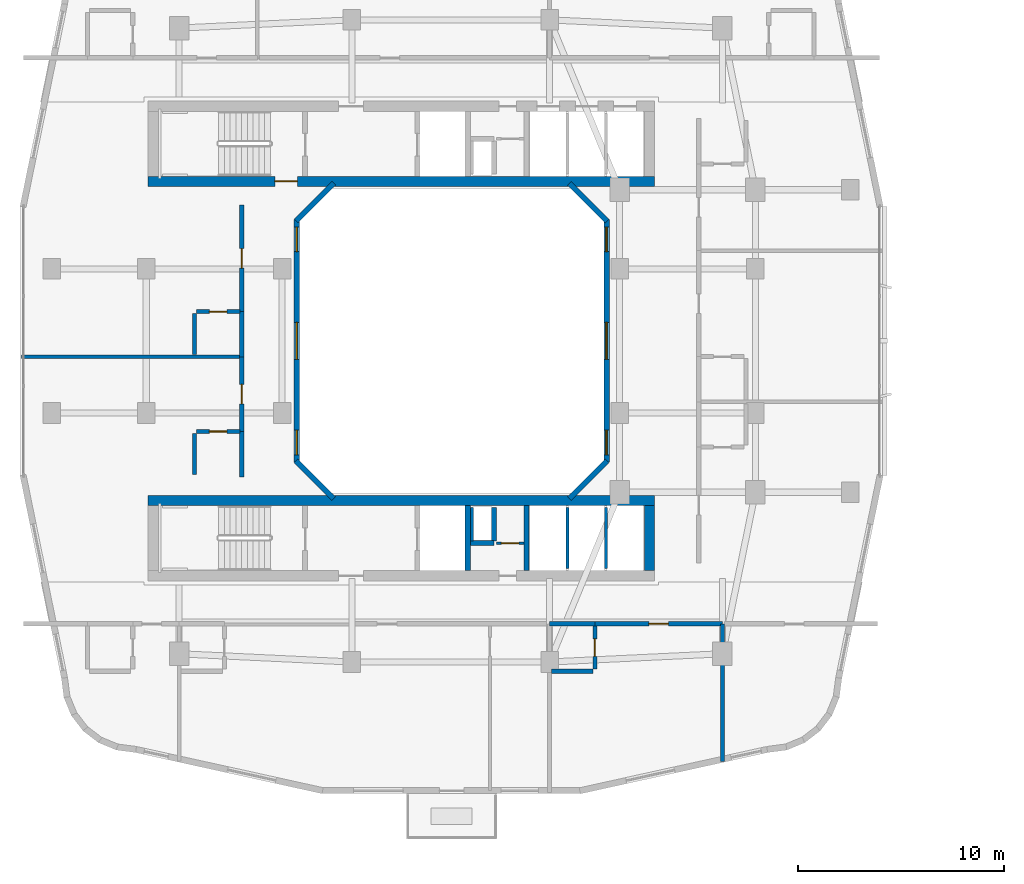
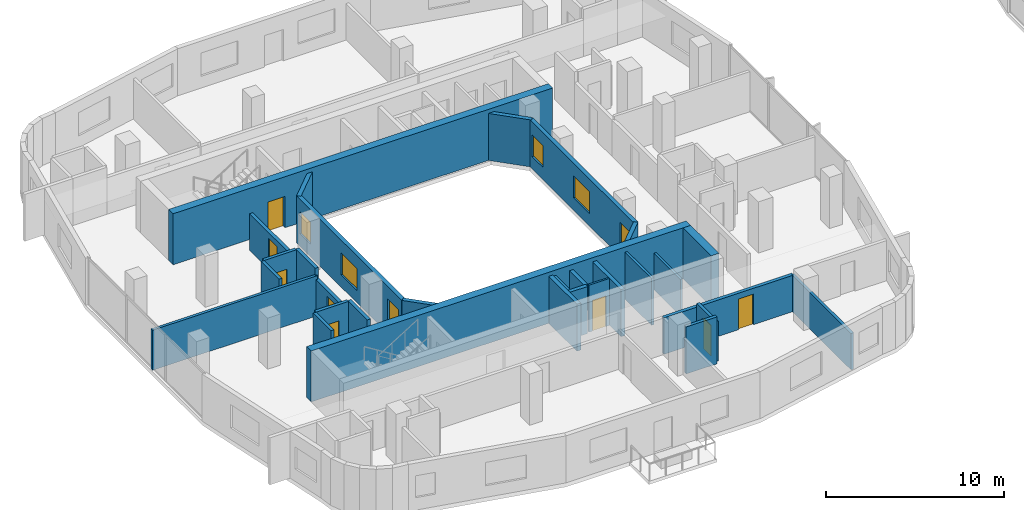
# One storey, part 10 of 24: 31 walls, 8 doors, 6 windows, 14 openings.
"""IFC4 building model written with IfcOpenShell, lengths in metres."""

from ifc_helpers import new_model, si_unit, derived_unit, direction, frame, frame_2d, origin, place, context, subcontext, project, spatial, rectangle, extrude, material, layer, layer_set, type_object, element, fill, save


model = new_model("IFC4")

# Units and contexts
model_context = context("Model", 3, precision=1e-05, world=origin(), true_north=direction((0.0, 1.0)))
body_context = subcontext(model_context, "Body", "Model", "MODEL_VIEW")
ifc_project = project(units=[si_unit("LENGTHUNIT", "METRE"), si_unit("AREAUNIT", "SQUARE_METRE"), si_unit("VOLUMEUNIT", "CUBIC_METRE"), si_unit("PLANEANGLEUNIT", "RADIAN"), si_unit("MASSUNIT", "GRAM", prefix="KILO"), derived_unit("THERMALTRANSMITTANCEUNIT", [(si_unit("POWERUNIT", "WATT"), 1), (si_unit("LENGTHUNIT", "METRE"), -2), (si_unit("THERMODYNAMICTEMPERATUREUNIT", "KELVIN"), -1)])], contexts=[model_context])

# Site, building, storey
site_placement = place(None, origin())
site = spatial("IfcSite", under=ifc_project, at=site_placement, CompositionType="ELEMENT")
building_placement = place(site_placement, origin())
building = spatial("IfcBuilding", under=site, at=building_placement, Name="Kivonza Crest Hotel", CompositionType="ELEMENT")
storey_placement = place(building_placement, frame((0.0, 0.0, 80.0)))
storey = spatial("IfcBuildingStorey", under=building, at=storey_placement, Name="L21", CompositionType="ELEMENT", Elevation=80.0)

# Walls
ifc_material_1 = material(Name="High-density acoustic masonry inter-tenancy wall", Category="masonry")
ifc_layer_1 = layer(ifc_material_1, 0.179931640625)
ifc_layer_set_1 = layer_set([ifc_layer_1], Name="High-density acoustic masonry inter-tenancy wall")
wall_type_1 = type_object("IfcWallType", Name="WL-ACOU-180", PredefinedType="SOLIDWALL", material=ifc_layer_set_1)
wall_1_placement = place(storey_placement, frame((34.199951171875, 4.575927734375, 0.0), z_axis=(0.0, 0.0, 1.0), x_axis=(0.0, 1.0, 0.0)))
element("IfcWall", 1, at=wall_1_placement, inside=storey, type_object=wall_type_1, Name="L21 interior partition WA-L21-T1S-DIV3", PredefinedType="SOLIDWALL", context=body_context, shape_type="SweptSolid", body=[
    extrude(rectangle(XDim=6.674072265625, YDim=0.179931640625, at=frame_2d((3.3369140625, 0.0))), origin(), (0.0, 0.0, 1.0), 2.4951171875),
])
wall_2_placement = place(storey_placement, frame((0.139892578125, 24.22998046875, 0.0), z_axis=(0.0, 0.0, 1.0), x_axis=(1.0, 0.0, 0.0)))
element("IfcWall", 2, at=wall_2_placement, inside=storey, type_object=wall_type_1, Name="L21 interior partition WA-L21-T1W-DIV1", PredefinedType="SOLIDWALL", context=body_context, shape_type="SweptSolid", body=[
    extrude(rectangle(XDim=10.710205078125, YDim=0.179931640625, at=frame_2d((5.35498046875, 0.0))), origin(), (0.0, 0.0, 1.0), 2.7451171875),
])
ifc_material_2 = material(Name="Autoclaved aerated concrete blockwork", Category="masonry")
ifc_layer_2 = layer(ifc_material_2, 0.219970703125)
ifc_layer_set_2 = layer_set([ifc_layer_2], Name="Autoclaved aerated concrete blockwork")
wall_type_2 = type_object("IfcWallType", Name="WL-ACOU-220", PredefinedType="SOLIDWALL", material=ifc_layer_set_2)
wall_3_placement = place(storey_placement, frame((25.800048828125, 11.25, 0.0), z_axis=(0.0, 0.0, 1.0), x_axis=(1.0, 0.0, 0.0)))
element("IfcWall", 3, at=wall_3_placement, inside=storey, type_object=wall_type_2, Name="L21 interior partition WA-L21-S05-BCORR", PredefinedType="SOLIDWALL", context=body_context, shape_type="SweptSolid", body=[
    extrude(rectangle(XDim=2.199951171875, YDim=0.219970703125, at=frame_2d((1.10009765625, 0.0))), origin(), (0.0, 0.0, 1.0), 2.4951171875),
])

# Wall, opening, door
wall_4_placement = place(storey_placement, frame((28.0, 11.25, 0.0), z_axis=(0.0, 0.0, 1.0), x_axis=(1.0, 0.0, 0.0)))
wall_4 = element("IfcWall", 4, at=wall_4_placement, inside=storey, type_object=wall_type_2, Name="L21 interior partition WA-L21-S05-MCORR", PredefinedType="SOLIDWALL", context=body_context, shape_type="SweptSolid", body=[
    extrude(rectangle(XDim=6.199951171875, YDim=0.219970703125, at=frame_2d((3.10009765625, 0.0))), origin(), (0.0, 0.0, 1.0), 2.4951171875),
])
opening_1_placement = place(wall_4_placement, frame((2.625, 0.0, 0.0)))
opening_1 = element("IfcOpeningElement", 5, at=opening_1_placement, cuts=wall_4, Name="Opening DU-60", PredefinedType="OPENING", context=body_context, shape_type="SweptSolid", body=[
    extrude(rectangle(XDim=0.949951171875, YDim=2.10009765625, at=frame_2d((0.47509765625, 1.050048828125))), frame((0.0, 0.1201171875, 0.0), z_axis=(0.0, -1.0, 0.0), x_axis=(1.0, 0.0, 0.0)), (0.0, 0.0, 1.0), 0.239990234375),
])
ifc_material_3 = material(Name="Hardwood timber oak", Category="wood")
door_type_1 = type_object("IfcDoorType", Name="DR-UNIT-950", OperationType="NOTDEFINED", PredefinedType="DOOR", material=ifc_material_3)
door_1_placement = place(opening_1_placement, frame((0.949951171875, 0.0, 0.0), z_axis=(0.0, 0.0, 1.0), x_axis=(-1.0, 0.0, 0.0)))
door_1 = element("IfcDoor", 6, at=door_1_placement, inside=storey, type_object=door_type_1, Name="L21 S05 guest unit entrance fire door", OperationType="SINGLE_SWING_LEFT", OverallHeight=2.10009765625, OverallWidth=0.949951171875, PredefinedType="DOOR", context=body_context, shape_type="SweptSolid", body=[
    extrude(rectangle(XDim=0.949951171875, YDim=2.10009765625, at=frame_2d((0.47509765625, 1.050048828125))), frame((0.0, 0.02490234375, 0.0), z_axis=(0.0, -1.0, 0.0), x_axis=(1.0, 0.0, 0.0)), (0.0, 0.0, 1.0), 0.050048828125),
])
fill(opening_1, door_1)

# Wall
wall_5_placement = place(storey_placement, frame((10.85009765625, 18.39990234375, 0.0), z_axis=(0.0, 0.0, 1.0), x_axis=(0.0, 1.0, 0.0)))
element("IfcWall", 7, at=wall_5_placement, inside=storey, type_object=wall_type_2, Name="L21 interior partition WA-L21-W06-BCORR", PredefinedType="SOLIDWALL", context=body_context, shape_type="SweptSolid", body=[
    extrude(rectangle(XDim=2.2001953125, YDim=0.219970703125, at=frame_2d((1.10009765625, 0.0))), origin(), (0.0, 0.0, 1.0), 3.219970703125),
])

# Wall, opening, door
wall_6_placement = place(storey_placement, frame((10.85009765625, 20.60009765625, 0.0), z_axis=(0.0, 0.0, 1.0), x_axis=(0.0, 1.0, 0.0)))
wall_6 = element("IfcWall", 8, at=wall_6_placement, inside=storey, type_object=wall_type_2, Name="L21 interior partition WA-L21-W06-MCORR", PredefinedType="SOLIDWALL", context=body_context, shape_type="SweptSolid", body=[
    extrude(rectangle(XDim=3.6298828125, YDim=0.219970703125, at=frame_2d((1.81494140625, 0.0))), origin(), (0.0, 0.0, 1.0), 2.4951171875),
])
opening_2_placement = place(wall_6_placement, frame((1.340087890625, 0.0, 0.0)))
opening_2 = element("IfcOpeningElement", 9, at=opening_2_placement, cuts=wall_6, Name="Opening DU-60", PredefinedType="OPENING", context=body_context, shape_type="SweptSolid", body=[
    extrude(rectangle(XDim=0.949951171875, YDim=2.10009765625, at=frame_2d((0.47509765625, 1.050048828125))), frame((0.0, 0.1201171875, 0.0), z_axis=(0.0, -1.0, 0.0), x_axis=(1.0, 0.0, 0.0)), (0.0, 0.0, 1.0), 0.239990234375),
])
door_2_placement = place(opening_2_placement, origin())
door_2 = element("IfcDoor", 10, at=door_2_placement, inside=storey, type_object=door_type_1, Name="L21 W06 guest unit entrance fire door", OperationType="SINGLE_SWING_RIGHT", OverallHeight=2.10009765625, OverallWidth=0.949951171875, PredefinedType="DOOR", context=body_context, shape_type="SweptSolid", body=[
    extrude(rectangle(XDim=0.949951171875, YDim=2.10009765625, at=frame_2d((0.47509765625, 1.050048828125))), frame((0.0, 0.02490234375, 0.0), z_axis=(0.0, -1.0, 0.0), x_axis=(1.0, 0.0, 0.0)), (0.0, 0.0, 1.0), 0.050048828125),
])
fill(opening_2, door_2)

# Wall
wall_7_placement = place(storey_placement, frame((10.85009765625, 24.22998046875, 0.0), z_axis=(0.0, 0.0, 1.0), x_axis=(0.0, 1.0, 0.0)))
element("IfcWall", 11, at=wall_7_placement, inside=storey, type_object=wall_type_2, Name="L21 interior partition WA-L21-W07-BCORR", PredefinedType="SOLIDWALL", context=body_context, shape_type="SweptSolid", body=[
    extrude(rectangle(XDim=2.199951171875, YDim=0.219970703125, at=frame_2d((1.10009765625, 0.0))), origin(), (0.0, 0.0, 1.0), 3.219970703125),
])

# Wall, opening, door
wall_8_placement = place(storey_placement, frame((10.85009765625, 26.429931640625, 0.0), z_axis=(0.0, 0.0, 1.0), x_axis=(0.0, 1.0, 0.0)))
wall_8 = element("IfcWall", 12, at=wall_8_placement, inside=storey, type_object=wall_type_2, Name="L21 interior partition WA-L21-W07-MCORR", PredefinedType="SOLIDWALL", context=body_context, shape_type="SweptSolid", body=[
    extrude(rectangle(XDim=5.170166015625, YDim=0.219970703125, at=frame_2d((2.5849609375, 0.0))), origin(), (0.0, 0.0, 1.0), 2.4951171875),
])
opening_3_placement = place(wall_8_placement, frame((2.110107421875, 0.0, 0.0)))
opening_3 = element("IfcOpeningElement", 13, at=opening_3_placement, cuts=wall_8, Name="Opening DU-60", PredefinedType="OPENING", context=body_context, shape_type="SweptSolid", body=[
    extrude(rectangle(XDim=0.949951171875, YDim=2.10009765625, at=frame_2d((0.47509765625, 1.050048828125))), frame((0.0, 0.1201171875, 0.0), z_axis=(0.0, -1.0, 0.0), x_axis=(1.0, 0.0, 0.0)), (0.0, 0.0, 1.0), 0.239990234375),
])
door_3_placement = place(opening_3_placement, origin())
door_3 = element("IfcDoor", 14, at=door_3_placement, inside=storey, type_object=door_type_1, Name="L21 W07 guest unit entrance fire door", OperationType="SINGLE_SWING_LEFT", OverallHeight=2.10009765625, OverallWidth=0.949951171875, PredefinedType="DOOR", context=body_context, shape_type="SweptSolid", body=[
    extrude(rectangle(XDim=0.949951171875, YDim=2.10009765625, at=frame_2d((0.47509765625, 1.050048828125))), frame((0.0, 0.02490234375, 0.0), z_axis=(0.0, -1.0, 0.0), x_axis=(1.0, 0.0, 0.0)), (0.0, 0.0, 1.0), 0.050048828125),
])
fill(opening_3, door_3)

ifc_material_4 = material(Name="Concrete C60/75", Category="concrete")
ifc_layer_3 = layer(ifc_material_4, 0.5)
ifc_layer_set_3 = layer_set([ifc_layer_3], Name="Concrete C60/75")
wall_type_3 = type_object("IfcWallType", Name="WL-CORE-500", PredefinedType="SHEAR", material=ifc_layer_set_3)
wall_9_placement = place(storey_placement, frame((6.300048828125, 32.75, 0.0), z_axis=(0.0, 0.0, 1.0), x_axis=(1.0, 0.0, 0.0)))
wall_9 = element("IfcWall", 15, at=wall_9_placement, inside=storey, type_object=wall_type_3, Name="Core wall T1-N South L21", PredefinedType="SHEAR", context=body_context, shape_type="SweptSolid", body=[
    extrude(rectangle(XDim=24.599853515625, YDim=0.5, at=frame_2d((12.2998046875, 0.0))), origin(), (0.0, 0.0, 1.0), 3.5),
])
opening_4_placement = place(wall_9_placement, frame((6.14990234375, 0.0, 0.0)))
opening_4 = element("IfcOpeningElement", 16, at=opening_4_placement, cuts=wall_9, Name="Opening DF-120", PredefinedType="OPENING", context=body_context, shape_type="SweptSolid", body=[
    extrude(rectangle(XDim=1.10009765625, YDim=2.14990234375, at=frame_2d((0.550048828125, 1.074951171875))), frame((0.0, 0.260009765625, 0.0), z_axis=(0.0, -1.0, 0.0), x_axis=(1.0, 0.0, 0.0)), (0.0, 0.0, 1.0), 0.52001953125),
])
ifc_material_5 = material(Name="Galvanised steel", Category="steel")
door_type_2 = type_object("IfcDoorType", Name="DR-FD120-1100", OperationType="NOTDEFINED", PredefinedType="DOOR", material=ifc_material_5)
door_4_placement = place(opening_4_placement, origin())
door_4 = element("IfcDoor", 17, at=door_4_placement, inside=storey, type_object=door_type_2, Name="L21 West corridor stair access fire door", OperationType="SINGLE_SWING_LEFT", OverallHeight=2.14990234375, OverallWidth=1.10009765625, PredefinedType="DOOR", context=body_context, shape_type="SweptSolid", body=[
    extrude(rectangle(XDim=1.10009765625, YDim=2.14990234375, at=frame_2d((0.550048828125, 1.074951171875))), frame((0.0, 0.02490234375, 0.0), z_axis=(0.0, -1.0, 0.0), x_axis=(1.0, 0.0, 0.0)), (0.0, 0.0, 1.0), 0.050048828125),
])
fill(opening_4, door_4)

# Walls
wall_10_placement = place(storey_placement, frame((6.300048828125, 17.25, 0.0), z_axis=(0.0, 0.0, 1.0), x_axis=(1.0, 0.0, 0.0)))
element("IfcWall", 18, at=wall_10_placement, inside=storey, type_object=wall_type_3, Name="Core wall T1-S North L21", PredefinedType="SHEAR", context=body_context, shape_type="SweptSolid", body=[
    extrude(rectangle(XDim=24.599853515625, YDim=0.5, at=frame_2d((12.2998046875, 0.0))), origin(), (0.0, 0.0, 1.0), 3.5),
])
wall_11_placement = place(storey_placement, frame((30.64990234375, 13.840087890625, 0.0), z_axis=(0.0, 0.0, 1.0), x_axis=(0.0, 1.0, 0.0)))
element("IfcWall", 19, at=wall_11_placement, inside=storey, type_object=wall_type_3, Name="Core wall T1-S East L21", PredefinedType="SHEAR", context=body_context, shape_type="SweptSolid", body=[
    extrude(rectangle(XDim=3.159912109375, YDim=0.5, at=frame_2d((1.580078125, 0.0))), origin(), (0.0, 0.0, 1.0), 3.5),
])
ifc_material_6 = material(Name="Precast concrete C40/50", Category="concrete")
ifc_layer_4 = layer(ifc_material_6, 0.260009765625)
ifc_layer_set_4 = layer_set([ifc_layer_4], Name="Precast concrete C40/50")
wall_type_4 = type_object("IfcWallType", Name="WL-EXT-260", PredefinedType="STANDARD", material=ifc_layer_set_4)
wall_12_placement = place(storey_placement, frame((26.761962890625, 17.337890625, 0.0), z_axis=(0.0, 0.0, 1.0), x_axis=(0.707059717605, 0.707153841636, 0.0)))
element("IfcWall", 20, at=wall_12_placement, inside=storey, type_object=wall_type_4, Name="L21 T1 light-well exterior wall 2", PredefinedType="STANDARD", context=body_context, shape_type="SweptSolid", body=[
    extrude(rectangle(XDim=2.59375, YDim=0.260009765625, at=frame_2d((1.296875, 0.0))), origin(), (0.0, 0.0, 1.0), 3.219970703125),
])

# Wall, openings, windows
wall_13_placement = place(storey_placement, frame((28.570068359375, 19.110107421875, 0.0), z_axis=(0.0, 0.0, 1.0), x_axis=(0.0, 1.0, 0.0)))
wall_13 = element("IfcWall", 21, at=wall_13_placement, inside=storey, type_object=wall_type_4, Name="L21 T1 light-well exterior wall 3", PredefinedType="STANDARD", context=body_context, shape_type="SweptSolid", body=[
    extrude(rectangle(XDim=11.77978515625, YDim=0.260009765625, at=frame_2d((5.889892578125, 0.0))), origin(), (0.0, 0.0, 1.0), 3.219970703125),
])
opening_5_placement = place(wall_13_placement, frame((0.35498046875, 0.0, 0.85009765625)))
opening_5 = element("IfcOpeningElement", 22, at=opening_5_placement, cuts=wall_13, Name="Opening WN-01", PredefinedType="OPENING", context=body_context, shape_type="SweptSolid", body=[
    extrude(rectangle(XDim=1.199951171875, YDim=1.5, at=frame_2d((0.60009765625, 0.75))), frame((0.0, 0.14013671875, 0.0), z_axis=(0.0, -1.0, 0.0), x_axis=(1.0, 0.0, 0.0)), (0.0, 0.0, 1.0), 0.280029296875),
])
opening_6_placement = place(wall_13_placement, frame((4.989990234375, 0.0, 0.85009765625)))
opening_6 = element("IfcOpeningElement", 23, at=opening_6_placement, cuts=wall_13, Name="Opening WN-03", PredefinedType="OPENING", context=body_context, shape_type="SweptSolid", body=[
    extrude(rectangle(XDim=1.800048828125, YDim=1.5, at=frame_2d((0.89990234375, 0.75))), frame((0.0, 0.14013671875, 0.0), z_axis=(0.0, -1.0, 0.0), x_axis=(1.0, 0.0, 0.0)), (0.0, 0.0, 1.0), 0.280029296875),
])
opening_7_placement = place(wall_13_placement, frame((10.22509765625, 0.0, 0.85009765625)))
opening_7 = element("IfcOpeningElement", 24, at=opening_7_placement, cuts=wall_13, Name="Opening WN-01", PredefinedType="OPENING", context=body_context, shape_type="SweptSolid", body=[
    extrude(rectangle(XDim=1.199951171875, YDim=1.5, at=frame_2d((0.60009765625, 0.75))), frame((0.0, 0.14013671875, 0.0), z_axis=(0.0, -1.0, 0.0), x_axis=(1.0, 0.0, 0.0)), (0.0, 0.0, 1.0), 0.280029296875),
])
ifc_material_7 = material(Name="Thermally broken bronze aluminium and low-E double glazing", Category="aluminium")
window_type_1 = type_object("IfcWindowType", Name="WN-120x150", PartitioningType="SINGLE_PANEL", PredefinedType="WINDOW", material=ifc_material_7)
window_1_placement = place(opening_5_placement, origin())
window_1 = element("IfcWindow", 25, at=window_1_placement, inside=storey, type_object=window_type_1, Name="L21 T1 light-well window 3 bay 1", OverallHeight=1.5, OverallWidth=1.199951171875, PartitioningType="SINGLE_PANEL", PredefinedType="WINDOW", context=body_context, shape_type="SweptSolid", body=[
    extrude(rectangle(XDim=1.199951171875, YDim=1.5, at=frame_2d((0.60009765625, 0.75))), frame((0.0, 0.030029296875, 0.0), z_axis=(0.0, -1.0, 0.0), x_axis=(1.0, 0.0, 0.0)), (0.0, 0.0, 1.0), 0.06005859375),
])
fill(opening_5, window_1)
window_2_placement = place(opening_7_placement, origin())
window_2 = element("IfcWindow", 26, at=window_2_placement, inside=storey, type_object=window_type_1, Name="L21 T1 light-well window 3 bay 3", OverallHeight=1.5, OverallWidth=1.199951171875, PartitioningType="SINGLE_PANEL", PredefinedType="WINDOW", context=body_context, shape_type="SweptSolid", body=[
    extrude(rectangle(XDim=1.199951171875, YDim=1.5, at=frame_2d((0.60009765625, 0.75))), frame((0.0, 0.030029296875, 0.0), z_axis=(0.0, -1.0, 0.0), x_axis=(1.0, 0.0, 0.0)), (0.0, 0.0, 1.0), 0.06005859375),
])
fill(opening_7, window_2)
window_type_2 = type_object("IfcWindowType", Name="WN-180x150", PartitioningType="DOUBLE_PANEL_VERTICAL", PredefinedType="WINDOW", material=ifc_material_7)
window_3_placement = place(opening_6_placement, origin())
window_3 = element("IfcWindow", 27, at=window_3_placement, inside=storey, type_object=window_type_2, Name="L21 T1 light-well window 3 bay 2", OverallHeight=1.5, OverallWidth=1.800048828125, PartitioningType="SINGLE_PANEL", PredefinedType="WINDOW", context=body_context, shape_type="SweptSolid", body=[
    extrude(rectangle(XDim=1.800048828125, YDim=1.5, at=frame_2d((0.89990234375, 0.75))), frame((0.0, 0.030029296875, 0.0), z_axis=(0.0, -1.0, 0.0), x_axis=(1.0, 0.0, 0.0)), (0.0, 0.0, 1.0), 0.06005859375),
])
fill(opening_6, window_3)

# Walls
wall_14_placement = place(storey_placement, frame((28.595947265625, 30.827880859375, 0.0), z_axis=(0.0, 0.0, 1.0), x_axis=(-0.707059717605, 0.707153841636, 0.0)))
element("IfcWall", 28, at=wall_14_placement, inside=storey, type_object=wall_type_4, Name="L21 T1 light-well exterior wall 4", PredefinedType="STANDARD", context=body_context, shape_type="SweptSolid", body=[
    extrude(rectangle(XDim=2.59375, YDim=0.260009765625, at=frame_2d((1.296875, 0.0))), origin(), (0.0, 0.0, 1.0), 3.219970703125),
])
wall_15_placement = place(storey_placement, frame((15.318115234375, 32.662109375, 0.0), z_axis=(0.0, 0.0, 1.0), x_axis=(-0.707106781187, -0.707106781187, 0.0)))
element("IfcWall", 29, at=wall_15_placement, inside=storey, type_object=wall_type_4, Name="L21 T1 light-well exterior wall 6", PredefinedType="STANDARD", context=body_context, shape_type="SweptSolid", body=[
    extrude(rectangle(XDim=2.593994140625, YDim=0.260009765625, at=frame_2d((1.296875, 0.0))), origin(), (0.0, 0.0, 1.0), 3.219970703125),
])

# Wall, openings, windows
wall_16_placement = place(storey_placement, frame((13.510009765625, 30.889892578125, 0.0), z_axis=(0.0, 0.0, 1.0), x_axis=(0.0, -1.0, 0.0)))
wall_16 = element("IfcWall", 30, at=wall_16_placement, inside=storey, type_object=wall_type_4, Name="L21 T1 light-well exterior wall 7", PredefinedType="STANDARD", context=body_context, shape_type="SweptSolid", body=[
    extrude(rectangle(XDim=11.77978515625, YDim=0.260009765625, at=frame_2d((5.889892578125, 0.0))), origin(), (0.0, 0.0, 1.0), 3.219970703125),
])
opening_8_placement = place(wall_16_placement, frame((0.35498046875, 0.0, 0.85009765625)))
opening_8 = element("IfcOpeningElement", 31, at=opening_8_placement, cuts=wall_16, Name="Opening WN-01", PredefinedType="OPENING", context=body_context, shape_type="SweptSolid", body=[
    extrude(rectangle(XDim=1.199951171875, YDim=1.5, at=frame_2d((0.60009765625, 0.75))), frame((0.0, 0.14013671875, 0.0), z_axis=(0.0, -1.0, 0.0), x_axis=(1.0, 0.0, 0.0)), (0.0, 0.0, 1.0), 0.280029296875),
])
opening_9_placement = place(wall_16_placement, frame((4.989990234375, 0.0, 0.85009765625)))
opening_9 = element("IfcOpeningElement", 32, at=opening_9_placement, cuts=wall_16, Name="Opening WN-03", PredefinedType="OPENING", context=body_context, shape_type="SweptSolid", body=[
    extrude(rectangle(XDim=1.800048828125, YDim=1.5, at=frame_2d((0.89990234375, 0.75))), frame((0.0, 0.14013671875, 0.0), z_axis=(0.0, -1.0, 0.0), x_axis=(1.0, 0.0, 0.0)), (0.0, 0.0, 1.0), 0.280029296875),
])
opening_10_placement = place(wall_16_placement, frame((10.22509765625, 0.0, 0.85009765625)))
opening_10 = element("IfcOpeningElement", 33, at=opening_10_placement, cuts=wall_16, Name="Opening WN-01", PredefinedType="OPENING", context=body_context, shape_type="SweptSolid", body=[
    extrude(rectangle(XDim=1.199951171875, YDim=1.5, at=frame_2d((0.60009765625, 0.75))), frame((0.0, 0.14013671875, 0.0), z_axis=(0.0, -1.0, 0.0), x_axis=(1.0, 0.0, 0.0)), (0.0, 0.0, 1.0), 0.280029296875),
])
window_4_placement = place(opening_8_placement, origin())
window_4 = element("IfcWindow", 34, at=window_4_placement, inside=storey, type_object=window_type_1, Name="L21 T1 light-well window 7 bay 1", OverallHeight=1.5, OverallWidth=1.199951171875, PartitioningType="SINGLE_PANEL", PredefinedType="WINDOW", context=body_context, shape_type="SweptSolid", body=[
    extrude(rectangle(XDim=1.199951171875, YDim=1.5, at=frame_2d((0.60009765625, 0.75))), frame((0.0, 0.030029296875, 0.0), z_axis=(0.0, -1.0, 0.0), x_axis=(1.0, 0.0, 0.0)), (0.0, 0.0, 1.0), 0.06005859375),
])
fill(opening_8, window_4)
window_5_placement = place(opening_10_placement, origin())
window_5 = element("IfcWindow", 35, at=window_5_placement, inside=storey, type_object=window_type_1, Name="L21 T1 light-well window 7 bay 3", OverallHeight=1.5, OverallWidth=1.199951171875, PartitioningType="SINGLE_PANEL", PredefinedType="WINDOW", context=body_context, shape_type="SweptSolid", body=[
    extrude(rectangle(XDim=1.199951171875, YDim=1.5, at=frame_2d((0.60009765625, 0.75))), frame((0.0, 0.030029296875, 0.0), z_axis=(0.0, -1.0, 0.0), x_axis=(1.0, 0.0, 0.0)), (0.0, 0.0, 1.0), 0.06005859375),
])
fill(opening_10, window_5)
window_6_placement = place(opening_9_placement, origin())
window_6 = element("IfcWindow", 36, at=window_6_placement, inside=storey, type_object=window_type_2, Name="L21 T1 light-well window 7 bay 2", OverallHeight=1.5, OverallWidth=1.800048828125, PartitioningType="SINGLE_PANEL", PredefinedType="WINDOW", context=body_context, shape_type="SweptSolid", body=[
    extrude(rectangle(XDim=1.800048828125, YDim=1.5, at=frame_2d((0.89990234375, 0.75))), frame((0.0, 0.030029296875, 0.0), z_axis=(0.0, -1.0, 0.0), x_axis=(1.0, 0.0, 0.0)), (0.0, 0.0, 1.0), 0.06005859375),
])
fill(opening_9, window_6)

# Walls
wall_17_placement = place(storey_placement, frame((13.48388671875, 19.172119140625, 0.0), z_axis=(0.0, 0.0, 1.0), x_axis=(0.707106781187, -0.707106781187, 0.0)))
element("IfcWall", 37, at=wall_17_placement, inside=storey, type_object=wall_type_4, Name="L21 T1 light-well exterior wall 8", PredefinedType="STANDARD", context=body_context, shape_type="SweptSolid", body=[
    extrude(rectangle(XDim=2.593994140625, YDim=0.260009765625, at=frame_2d((1.296875, 0.0))), origin(), (0.0, 0.0, 1.0), 3.219970703125),
])
ifc_material_8 = material(Name="Concrete blockwork fire-compartment wall", Category="masonry")
ifc_layer_5 = layer(ifc_material_8, 0.25)
ifc_layer_set_5 = layer_set([ifc_layer_5], Name="Concrete blockwork fire-compartment wall")
wall_type_5 = type_object("IfcWallType", Name="WL-FIRE-250", PredefinedType="SOLIDWALL", material=ifc_layer_set_5)
wall_18_placement = place(storey_placement, frame((23.10009765625, 15.280029296875, 0.0), z_axis=(0.0, 0.0, 1.0), x_axis=(0.0, 1.0, 0.0)))
element("IfcWall", 38, at=wall_18_placement, inside=storey, type_object=wall_type_5, Name="L21 interior partition WA-L21-T1-S-MEPR-E", PredefinedType="SOLIDWALL", context=body_context, shape_type="SweptSolid", body=[
    extrude(rectangle(XDim=1.619873046875, YDim=0.25, at=frame_2d((0.81005859375, 0.0))), origin(), (0.0, 0.0, 1.0), 3.219970703125),
])
wall_19_placement = place(storey_placement, frame((21.949951171875, 15.179931640625, 0.0), z_axis=(0.0, 0.0, 1.0), x_axis=(1.0, 0.0, 0.0)))
element("IfcWall", 39, at=wall_19_placement, inside=storey, type_object=wall_type_5, Name="L21 interior partition WA-L21-T1-S-MEPR-H", PredefinedType="SOLIDWALL", context=body_context, shape_type="SweptSolid", body=[
    extrude(rectangle(XDim=1.150146484375, YDim=0.25, at=frame_2d((0.5751953125, 0.0))), origin(), (0.0, 0.0, 1.0), 3.219970703125),
])

# Wall, opening, door
ifc_material_9 = material(Name="Metal-stud gypsum board partition", Category="gypsum")
ifc_layer_6 = layer(ifc_material_9, 0.125)
ifc_layer_set_6 = layer_set([ifc_layer_6], Name="Metal-stud gypsum board partition")
wall_type_6 = type_object("IfcWallType", Name="WL-PART-125", PredefinedType="PARTITIONING", material=ifc_layer_set_6)
wall_20_placement = place(storey_placement, frame((23.219970703125, 15.179931640625, 0.0), z_axis=(0.0, 0.0, 1.0), x_axis=(1.0, 0.0, 0.0)))
wall_20 = element("IfcWall", 40, at=wall_20_placement, inside=storey, type_object=wall_type_6, Name="L21 interior partition WP-L21-T1-S-SV3H", PredefinedType="PARTITIONING", context=body_context, shape_type="SweptSolid", body=[
    extrude(rectangle(XDim=1.330078125, YDim=0.125, at=frame_2d((0.6650390625, 0.0))), origin(), (0.0, 0.0, 1.0), 3.219970703125),
])
opening_11_placement = place(wall_20_placement, frame((0.239990234375, 0.0, 0.0)))
opening_11 = element("IfcOpeningElement", 41, at=opening_11_placement, cuts=wall_20, Name="Opening DI-85", PredefinedType="OPENING", context=body_context, shape_type="SweptSolid", body=[
    extrude(rectangle(XDim=0.85009765625, YDim=2.10009765625, at=frame_2d((0.425048828125, 1.050048828125))), frame((0.0, 0.072509765625, 0.0), z_axis=(0.0, -1.0, 0.0), x_axis=(1.0, 0.0, 0.0)), (0.0, 0.0, 1.0), 0.14501953125),
])
door_type_3 = type_object("IfcDoorType", Name="DR-INT-850", OperationType="NOTDEFINED", PredefinedType="DOOR", material=ifc_material_3)
door_5_placement = place(opening_11_placement, origin())
door_5 = element("IfcDoor", 42, at=door_5_placement, inside=storey, type_object=door_type_3, Name="L21 T1-S inner manifold door", OperationType="SINGLE_SWING_LEFT", OverallHeight=2.10009765625, OverallWidth=0.85009765625, PredefinedType="DOOR", context=body_context, shape_type="SweptSolid", body=[
    extrude(rectangle(XDim=0.85009765625, YDim=2.10009765625, at=frame_2d((0.425048828125, 1.050048828125))), frame((0.0, 0.02490234375, 0.0), z_axis=(0.0, -1.0, 0.0), x_axis=(1.0, 0.0, 0.0)), (0.0, 0.0, 1.0), 0.050048828125),
])
fill(opening_11, door_5)

# Walls
ifc_material_10 = material(Name="Twin-stud acoustic gypsum board partition", Category="gypsum")
ifc_layer_7 = layer(ifc_material_10, 0.14990234375)
ifc_layer_set_7 = layer_set([ifc_layer_7], Name="Twin-stud acoustic gypsum board partition")
wall_type_7 = type_object("IfcWallType", Name="WL-PART-150", PredefinedType="PARTITIONING", material=ifc_layer_set_7)
wall_21_placement = place(storey_placement, frame((22.030029296875, 15.280029296875, 0.0), z_axis=(0.0, 0.0, 1.0), x_axis=(0.0, 1.0, 0.0)))
element("IfcWall", 43, at=wall_21_placement, inside=storey, type_object=wall_type_7, Name="L21 interior partition WA-L21-T1-S-MEPR-W", PredefinedType="PARTITIONING", context=body_context, shape_type="SweptSolid", body=[
    extrude(rectangle(XDim=1.619873046875, YDim=0.14990234375, at=frame_2d((0.81005859375, 0.0))), origin(), (0.0, 0.0, 1.0), 3.219970703125),
])
wall_22_placement = place(storey_placement, frame((26.6669921875, 13.93994140625, 0.0), z_axis=(0.0, 0.0, 1.0), x_axis=(0.0, 1.0, 0.0)))
element("IfcWall", 44, at=wall_22_placement, inside=storey, type_object=wall_type_7, Name="L21 interior partition WP-L21-T1-S-BSH-1", PredefinedType="PARTITIONING", context=body_context, shape_type="SweptSolid", body=[
    extrude(rectangle(XDim=2.9599609375, YDim=0.14990234375, at=frame_2d((1.47998046875, 0.0))), origin(), (0.0, 0.0, 1.0), 3.219970703125),
])
wall_23_placement = place(storey_placement, frame((28.532958984375, 13.93994140625, 0.0), z_axis=(0.0, 0.0, 1.0), x_axis=(0.0, 1.0, 0.0)))
element("IfcWall", 45, at=wall_23_placement, inside=storey, type_object=wall_type_7, Name="L21 interior partition WP-L21-T1-S-BSH-2", PredefinedType="PARTITIONING", context=body_context, shape_type="SweptSolid", body=[
    extrude(rectangle(XDim=2.9599609375, YDim=0.14990234375, at=frame_2d((1.47998046875, 0.0))), origin(), (0.0, 0.0, 1.0), 2.4951171875),
])

# Wall, opening, door
ifc_material_11 = material(Name="Moisture-resistant plumbing chase partition wall", Category="gypsum")
ifc_layer_8 = layer(ifc_material_11, 0.199951171875)
ifc_layer_set_8 = layer_set([ifc_layer_8], Name="Moisture-resistant plumbing chase partition wall")
wall_type_8 = type_object("IfcWallType", Name="WL-PLUMB-200", PredefinedType="PLUMBINGWALL", material=ifc_layer_set_8)
wall_24_placement = place(storey_placement, frame((28.0, 9.050048828125, 0.0), z_axis=(0.0, 0.0, 1.0), x_axis=(0.0, 1.0, 0.0)))
wall_24 = element("IfcWall", 46, at=wall_24_placement, inside=storey, type_object=wall_type_8, Name="L21 interior partition WW-L21-S05-BV", PredefinedType="PLUMBINGWALL", context=body_context, shape_type="SweptSolid", body=[
    extrude(rectangle(XDim=2.099853515625, YDim=0.199951171875, at=frame_2d((1.0498046875, 0.0))), origin(), (0.0, 0.0, 1.0), 2.7451171875),
])
opening_12_placement = place(wall_24_placement, frame((0.625, 0.0, 0.0)))
opening_12 = element("IfcOpeningElement", 47, at=opening_12_placement, cuts=wall_24, Name="Opening DI-85", PredefinedType="OPENING", context=body_context, shape_type="SweptSolid", body=[
    extrude(rectangle(XDim=0.85009765625, YDim=2.10009765625, at=frame_2d((0.425048828125, 1.050048828125))), frame((0.0, 0.10986328125, 0.0), z_axis=(0.0, -1.0, 0.0), x_axis=(1.0, 0.0, 0.0)), (0.0, 0.0, 1.0), 0.219970703125),
])
door_6_placement = place(opening_12_placement, frame((0.85009765625, 0.0, 0.0), z_axis=(0.0, 0.0, 1.0), x_axis=(-1.0, 0.0, 0.0)))
door_6 = element("IfcDoor", 48, at=door_6_placement, inside=storey, type_object=door_type_3, Name="L21 S05 en-suite bathroom door", OperationType="SINGLE_SWING_RIGHT", OverallHeight=2.10009765625, OverallWidth=0.85009765625, PredefinedType="DOOR", context=body_context, shape_type="SweptSolid", body=[
    extrude(rectangle(XDim=0.85009765625, YDim=2.10009765625, at=frame_2d((0.425048828125, 1.050048828125))), frame((0.0, 0.02490234375, 0.0), z_axis=(0.0, -1.0, 0.0), x_axis=(1.0, 0.0, 0.0)), (0.0, 0.0, 1.0), 0.050048828125),
])
fill(opening_12, door_6)

# Wall
wall_25_placement = place(storey_placement, frame((25.89990234375, 8.949951171875, 0.0), z_axis=(0.0, 0.0, 1.0), x_axis=(1.0, 0.0, 0.0)))
element("IfcWall", 49, at=wall_25_placement, inside=storey, type_object=wall_type_8, Name="L21 interior partition WW-L21-S05-BH", PredefinedType="PLUMBINGWALL", context=body_context, shape_type="SweptSolid", body=[
    extrude(rectangle(XDim=2.0, YDim=0.199951171875, at=frame_2d((1.0, 0.0))), origin(), (0.0, 0.0, 1.0), 3.219970703125),
])

# Wall, opening, door
wall_26_placement = place(storey_placement, frame((8.64990234375, 20.60009765625, 0.0), z_axis=(0.0, 0.0, 1.0), x_axis=(1.0, 0.0, 0.0)))
wall_26 = element("IfcWall", 50, at=wall_26_placement, inside=storey, type_object=wall_type_8, Name="L21 interior partition WW-L21-W06-BH", PredefinedType="PLUMBINGWALL", context=body_context, shape_type="SweptSolid", body=[
    extrude(rectangle(XDim=2.10009765625, YDim=0.199951171875, at=frame_2d((1.050048828125, 0.0))), origin(), (0.0, 0.0, 1.0), 3.219970703125),
])
opening_13_placement = place(wall_26_placement, frame((0.625, 0.0, 0.0)))
opening_13 = element("IfcOpeningElement", 51, at=opening_13_placement, cuts=wall_26, Name="Opening DI-85", PredefinedType="OPENING", context=body_context, shape_type="SweptSolid", body=[
    extrude(rectangle(XDim=0.85009765625, YDim=2.10009765625, at=frame_2d((0.425048828125, 1.050048828125))), frame((0.0, 0.10986328125, 0.0), z_axis=(0.0, -1.0, 0.0), x_axis=(1.0, 0.0, 0.0)), (0.0, 0.0, 1.0), 0.219970703125),
])
door_7_placement = place(opening_13_placement, origin())
door_7 = element("IfcDoor", 52, at=door_7_placement, inside=storey, type_object=door_type_3, Name="L21 W06 en-suite bathroom door", OperationType="SINGLE_SWING_LEFT", OverallHeight=2.10009765625, OverallWidth=0.85009765625, PredefinedType="DOOR", context=body_context, shape_type="SweptSolid", body=[
    extrude(rectangle(XDim=0.85009765625, YDim=2.10009765625, at=frame_2d((0.425048828125, 1.050048828125))), frame((0.0, 0.02490234375, 0.0), z_axis=(0.0, -1.0, 0.0), x_axis=(1.0, 0.0, 0.0)), (0.0, 0.0, 1.0), 0.050048828125),
])
fill(opening_13, door_7)

# Wall
wall_27_placement = place(storey_placement, frame((8.550048828125, 18.5, 0.0), z_axis=(0.0, 0.0, 1.0), x_axis=(0.0, 1.0, 0.0)))
element("IfcWall", 53, at=wall_27_placement, inside=storey, type_object=wall_type_8, Name="L21 interior partition WW-L21-W06-BV", PredefinedType="PLUMBINGWALL", context=body_context, shape_type="SweptSolid", body=[
    extrude(rectangle(XDim=2.0, YDim=0.199951171875, at=frame_2d((1.0, 0.0))), origin(), (0.0, 0.0, 1.0), 3.219970703125),
])

# Wall, opening, door
wall_28_placement = place(storey_placement, frame((8.64990234375, 26.429931640625, 0.0), z_axis=(0.0, 0.0, 1.0), x_axis=(1.0, 0.0, 0.0)))
wall_28 = element("IfcWall", 54, at=wall_28_placement, inside=storey, type_object=wall_type_8, Name="L21 interior partition WW-L21-W07-BH", PredefinedType="PLUMBINGWALL", context=body_context, shape_type="SweptSolid", body=[
    extrude(rectangle(XDim=2.10009765625, YDim=0.199951171875, at=frame_2d((1.050048828125, 0.0))), origin(), (0.0, 0.0, 1.0), 3.219970703125),
])
opening_14_placement = place(wall_28_placement, frame((0.625, 0.0, 0.0)))
opening_14 = element("IfcOpeningElement", 55, at=opening_14_placement, cuts=wall_28, Name="Opening DI-85", PredefinedType="OPENING", context=body_context, shape_type="SweptSolid", body=[
    extrude(rectangle(XDim=0.85009765625, YDim=2.10009765625, at=frame_2d((0.425048828125, 1.050048828125))), frame((0.0, 0.10986328125, 0.0), z_axis=(0.0, -1.0, 0.0), x_axis=(1.0, 0.0, 0.0)), (0.0, 0.0, 1.0), 0.219970703125),
])
door_8_placement = place(opening_14_placement, origin())
door_8 = element("IfcDoor", 56, at=door_8_placement, inside=storey, type_object=door_type_3, Name="L21 W07 en-suite bathroom door", OperationType="SINGLE_SWING_RIGHT", OverallHeight=2.10009765625, OverallWidth=0.85009765625, PredefinedType="DOOR", context=body_context, shape_type="SweptSolid", body=[
    extrude(rectangle(XDim=0.85009765625, YDim=2.10009765625, at=frame_2d((0.425048828125, 1.050048828125))), frame((0.0, 0.02490234375, 0.0), z_axis=(0.0, -1.0, 0.0), x_axis=(1.0, 0.0, 0.0)), (0.0, 0.0, 1.0), 0.050048828125),
])
fill(opening_14, door_8)

# Walls
wall_29_placement = place(storey_placement, frame((8.550048828125, 24.330078125, 0.0), z_axis=(0.0, 0.0, 1.0), x_axis=(0.0, 1.0, 0.0)))
element("IfcWall", 57, at=wall_29_placement, inside=storey, type_object=wall_type_8, Name="L21 interior partition WW-L21-W07-BV", PredefinedType="PLUMBINGWALL", context=body_context, shape_type="SweptSolid", body=[
    extrude(rectangle(XDim=2.0, YDim=0.199951171875, at=frame_2d((1.0, 0.0))), origin(), (0.0, 0.0, 1.0), 3.219970703125),
])
ifc_material_12 = material(Name="Concrete C50/60", Category="concrete")
ifc_layer_9 = layer(ifc_material_12, 0.25)
ifc_layer_set_9 = layer_set([ifc_layer_9], Name="Concrete C50/60")
wall_type_9 = type_object("IfcWallType", Name="WL-SHAFT-250", PredefinedType="STANDARD", material=ifc_layer_set_9)
for number, where, z_axis, x_axis, name in (
    (58, (21.824951171875, 13.840087890625, 0.0), (0.0, 0.0, 1.0), (0.0, 1.0, 0.0), "Core shaft wall T1-S FFL-E L21"),
    (59, (24.675048828125, 13.840087890625, 0.0), (0.0, 0.0, 1.0), (0.0, 1.0, 0.0), "Core shaft wall T1-S BANK-W L21"),
):
    element("IfcWall", number, at=place(storey_placement, frame(where, z_axis=z_axis, x_axis=x_axis)), inside=storey, type_object=wall_type_9, Name=name, PredefinedType="STANDARD", context=body_context, shape_type="SweptSolid", body=[
        extrude(rectangle(XDim=3.159912109375, YDim=0.25, at=frame_2d((1.580078125, 0.0))), origin(), (0.0, 0.0, 1.0), 3.219970703125),
    ])

save(model, "model.ifc")
